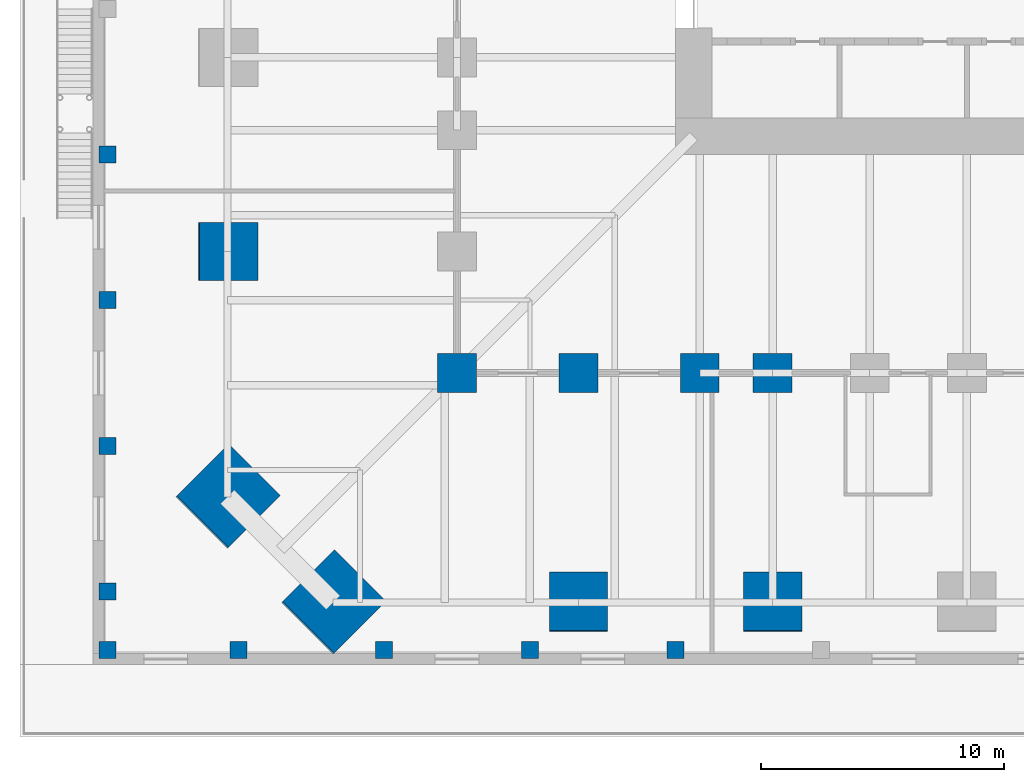
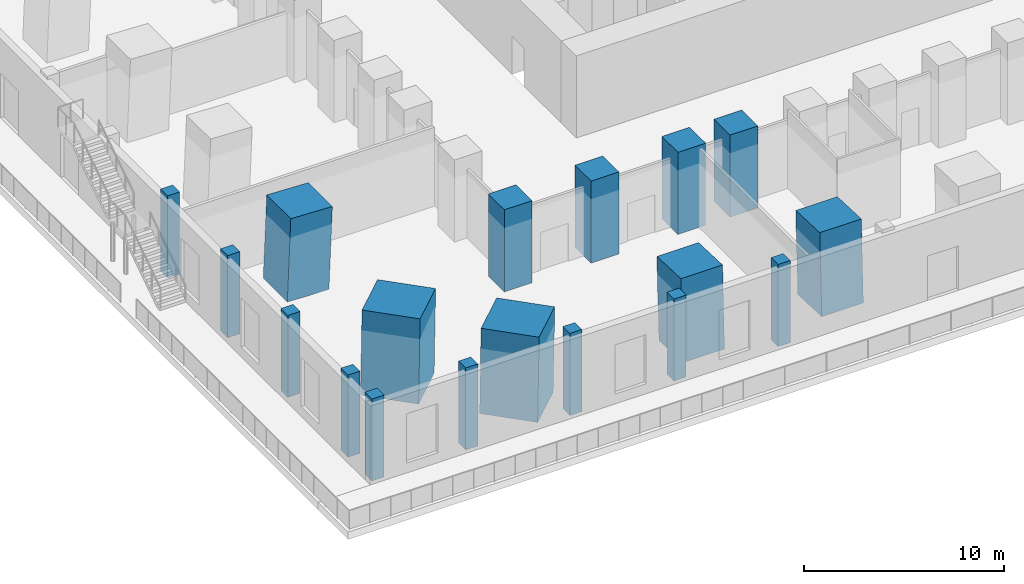
# One storey, part 1 of 20: 18 columns.
"""IFC4 building model written with IfcOpenShell, lengths in metres."""

import ifcopenshell
import ifcopenshell.guid

model = None  # the IFC model being written
_history = None  # IfcOwnerHistory: only IFC2X3 demands one
_inside = {}  # id of a spatial element -> (the spatial element, [elements in it])
_under = {}  # id of a project, library or spatial element -> (it, [spatial elements below it])
_declared = {}  # id of a project -> (the project, [libraries it declares])
_typed = {}  # id of a type object -> (the type object, [elements of that type])
_made_of = {}  # id of a material, layer set ... -> (it, [elements and type objects made of it])


def new_model(schema):
    """Start an empty IFC model of exactly this schema.

    Asked for "IFC4X3", IfcOpenShell would pick the latest addendum, in which some entities
    have other attributes; the version numbers below select the first issue.
    IFC2X3 requires an IfcOwnerHistory on every rooted entity: one is made here for all.
    """
    global model, _history
    if schema == "IFC4X3":
        model = ifcopenshell.file(schema_version=(4, 3, 0, 0))
    else:
        model = ifcopenshell.file(schema=schema)
    _inside.clear()
    _under.clear()
    _declared.clear()
    _typed.clear()
    _made_of.clear()
    _history = None
    if model.schema == "IFC2X3":
        org = make("IfcOrganization", Name="unknown")
        user = make(
            "IfcPersonAndOrganization",
            ThePerson=make("IfcPerson", FamilyName="unknown"),
            TheOrganization=org,
        )
        app = make(
            "IfcApplication",
            ApplicationDeveloper=org,
            Version="unknown",
            ApplicationFullName="unknown",
            ApplicationIdentifier="unknown",
        )
        _history = make(
            "IfcOwnerHistory",
            OwningUser=user,
            OwningApplication=app,
            ChangeAction="ADDED",
            CreationDate=0,
        )
    return model


def make(cls, **values):
    """One entity of the class cls with the attributes given. An attribute that is None is left unset."""
    return model.create_entity(
        cls, **{name: value for name, value in values.items() if value is not None}
    )


def rooted(cls, **values):
    """An entity with a GlobalId (a new one), such as an element, a storey or a relation."""
    return make(cls, GlobalId=ifcopenshell.guid.new(), OwnerHistory=_history, **values)


def si_unit(unit_type, name, prefix=None):
    """IfcSIUnit, for example si_unit("LENGTHUNIT", "METRE", prefix="MILLI")."""
    return make("IfcSIUnit", UnitType=unit_type, Prefix=prefix, Name=name)


def assignment(units):
    """IfcUnitAssignment: the units of a project."""
    return None if units is None else make("IfcUnitAssignment", Units=units)


def point(xyz):
    """IfcCartesianPoint."""
    return None if xyz is None else make("IfcCartesianPoint", Coordinates=xyz)


def direction(xyz):
    """IfcDirection."""
    return None if xyz is None else make("IfcDirection", DirectionRatios=xyz)


def frame(location, z_axis=None, x_axis=None):
    """IfcAxis2Placement3D, a coordinate frame: its origin and axes. An axis left out is left unset."""
    return make(
        "IfcAxis2Placement3D",
        Location=point(location),
        Axis=direction(z_axis),
        RefDirection=direction(x_axis),
    )


def frame_2d(location, x_axis=None):
    """IfcAxis2Placement2D, a coordinate frame in the plane: its origin and x axis."""
    return make(
        "IfcAxis2Placement2D", Location=point(location), RefDirection=direction(x_axis)
    )


def origin():
    """The frame at (0, 0, 0) with its axes left unset."""
    return frame((0.0, 0.0, 0.0))


def origin_2d():
    """The frame at (0, 0) in the plane with its x axis left unset."""
    return frame_2d((0.0, 0.0))


def place(relative_to, where):
    """IfcLocalPlacement: puts the frame where relative to a parent placement (None: the world)."""
    return make(
        "IfcLocalPlacement", PlacementRelTo=relative_to, RelativePlacement=where
    )


def context(
    kind, dimensions, precision=None, world=None, true_north=None, identifier=None
):
    """IfcGeometricRepresentationContext, for example the 3D "Model" context."""
    return make(
        "IfcGeometricRepresentationContext",
        ContextIdentifier=identifier,
        ContextType=kind,
        CoordinateSpaceDimension=dimensions,
        Precision=precision,
        WorldCoordinateSystem=world,
        TrueNorth=true_north,
    )


def subcontext(parent, identifier, kind, view, scale=None):
    """IfcGeometricRepresentationSubContext, for example "Body" below "Model"."""
    return make(
        "IfcGeometricRepresentationSubContext",
        ContextIdentifier=identifier,
        ContextType=kind,
        ParentContext=parent,
        TargetScale=scale,
        TargetView=view,
    )


def project(units=None, contexts=None):
    """IfcProject with its units and contexts."""
    return rooted(
        "IfcProject",
        Name="project",
        RepresentationContexts=contexts,
        UnitsInContext=assignment(units),
    )


def spatial(cls, under=None, at=None, **own):
    """A site, building, storey or space (cls), placed at a placement, below another one or the project."""
    s = rooted(cls, ObjectPlacement=at, **own)
    if under is not None:
        _under.setdefault(under.id(), (under, []))[1].append(s)
    return s


def profile(cls, at=None, kind="AREA", **sizes):
    """A parametric profile (cls). Its sizes go by their IFC names, for example OverallWidth=200.0."""
    return make(cls, ProfileType=kind, Position=at, **sizes)


def rectangle(**sizes):
    """IfcRectangleProfileDef."""
    return profile("IfcRectangleProfileDef", **sizes)


def extrude(swept, where, along, depth):
    """IfcExtrudedAreaSolid: the profile swept, set in the frame where, extruded along a direction by depth."""
    return make(
        "IfcExtrudedAreaSolid",
        SweptArea=swept,
        Position=where,
        ExtrudedDirection=direction(along),
        Depth=depth,
    )


def shape(context_of_items, identifier, shape_type, items):
    """IfcShapeRepresentation: the items that make up one representation, for example the "Body"."""
    return make(
        "IfcShapeRepresentation",
        ContextOfItems=context_of_items,
        RepresentationIdentifier=identifier,
        RepresentationType=shape_type,
        Items=items,
    )


def material(Name=None, Category=None):
    """IfcMaterial."""
    return make("IfcMaterial", Name=Name, Category=Category)


def material_profile(
    of_material, cross_section, Name=None, Category=None, Priority=None
):
    """IfcMaterialProfile: a cross section and its material."""
    return make(
        "IfcMaterialProfile",
        Name=Name,
        Material=of_material,
        Profile=cross_section,
        Priority=Priority,
        Category=Category,
    )


def profile_set(profiles, Name=None, composite=None):
    """IfcMaterialProfileSet."""
    return make(
        "IfcMaterialProfileSet",
        Name=Name,
        MaterialProfiles=profiles,
        CompositeProfile=composite,
    )


def made_of(thing, what):
    """Note that an element or type object is made of a material, layer set ...; save() writes the relation."""
    if what is not None:
        _made_of.setdefault(what.id(), (what, []))[1].append(thing)
    return thing


def type_object(cls, material=None, **own):
    """A type object (cls), such as IfcWallType, which elements share."""
    return made_of(rooted(cls, **own), material)


def element(
    cls,
    number,
    at=None,
    inside=None,
    cuts=None,
    type_object=None,
    material=None,
    context=None,
    identifier="Body",
    shape_type=None,
    held_by="IfcProductDefinitionShape",
    body=None,
    shapes=None,
    **own,
):
    """One element of the class cls, such as IfcWall. Its Tag is "e" and its number.

    at: its placement. inside: the storey or other place that contains it. cuts: it is an
    opening in that element (IfcRelVoidsElement). A single representation is given by context,
    identifier, shape_type and body (its items); several are given by shapes. held_by: the class
    of the entity that holds the representations. save() writes the other relations.
    """
    e = rooted(cls, Tag="e%d" % number, ObjectPlacement=at, **own)
    if body is not None:
        shapes = [shape(context, identifier, shape_type, body)]
    if shapes is not None:
        e.Representation = make(held_by, Representations=shapes)
    if inside is not None:
        _inside.setdefault(inside.id(), (inside, []))[1].append(e)
    if cuts is not None:
        rooted(
            "IfcRelVoidsElement", RelatingBuildingElement=cuts, RelatedOpeningElement=e
        )
    if type_object is not None:
        _typed.setdefault(type_object.id(), (type_object, []))[1].append(e)
    return made_of(e, material)


def aggregate(whole, parts):
    """IfcRelAggregates: a whole, such as a stair, and the parts it consists of."""
    return rooted("IfcRelAggregates", RelatingObject=whole, RelatedObjects=parts)


def save(model, path):
    """Write the relations noted so far, then the file.

    IfcRelAggregates (storeys below a building ...), IfcRelContainedInSpatialStructure (elements
    in a storey), IfcRelDefinesByType, IfcRelAssociatesMaterial and IfcRelDeclares: one each for
    every whole, place, type object, material and project.
    """
    for whole, parts in _under.values():
        aggregate(whole, parts)
    for where, things in _inside.values():
        rooted(
            "IfcRelContainedInSpatialStructure",
            RelatedElements=things,
            RelatingStructure=where,
        )
    for kind, things in _typed.values():
        rooted("IfcRelDefinesByType", RelatedObjects=things, RelatingType=kind)
    for what, things in _made_of.values():
        rooted("IfcRelAssociatesMaterial", RelatedObjects=things, RelatingMaterial=what)
    for by, libraries in _declared.values():
        rooted("IfcRelDeclares", RelatingContext=by, RelatedDefinitions=libraries)
    model.write(path)


model = new_model("IFC4")

# Units and contexts
model_context = context("Model", 3, precision=1e-05, world=origin(), true_north=direction((0.0, 1.0)))
body_context = subcontext(model_context, "Body", "Model", "MODEL_VIEW")
ifc_project = project(units=[si_unit("LENGTHUNIT", "METRE"), si_unit("AREAUNIT", "SQUARE_METRE"), si_unit("VOLUMEUNIT", "CUBIC_METRE"), si_unit("PLANEANGLEUNIT", "RADIAN"), si_unit("MASSUNIT", "GRAM", prefix="KILO")], contexts=[model_context])

# Site, building, storey
site_placement = place(None, origin())
site = spatial("IfcSite", under=ifc_project, at=site_placement, CompositionType="ELEMENT")
building_placement = place(site_placement, origin())
building = spatial("IfcBuilding", under=site, at=building_placement, Name="Peilmerk Tower", CompositionType="ELEMENT")
storey_placement = place(building_placement, frame((0.0, 0.0, 11.0)))
storey = spatial("IfcBuildingStorey", under=building, at=storey_placement, Name="L02", CompositionType="ELEMENT", Elevation=11.0)

# Columns
ifc_material_1 = material(Name="Concrete C90/105", Category="concrete")
ifc_material_profile_1 = material_profile(ifc_material_1, rectangle(XDim=3.0, YDim=3.0, at=origin_2d()), Name="RC 3000x3000")
ifc_profile_set_1 = profile_set([ifc_material_profile_1], Name="Concrete C90/105")
column_type_1 = type_object("IfcColumnType", Name="MC1 3000x3000 encased mega column", PredefinedType="COLUMN", material=ifc_profile_set_1)
for number, where, z_axis, x_axis, name in (
    (1, (-26.103271484375, -30.453125, 0.0), (0.040266662877, 0.04021791389, 0.998379244207), (-0.706678361564, 0.707534941396, 0.0), "Mega column MC1 SW_S L02"),
    (2, (-30.453125, -26.103271484375, 0.0), (0.04021791389, 0.040266662877, 0.998379244207), (-0.707534941396, 0.706678361564, 0.0), "Mega column MC1 SW_W L02"),
):
    element("IfcColumn", number, at=place(storey_placement, frame(where, z_axis=z_axis, x_axis=x_axis)), inside=storey, type_object=column_type_1, Name=name, PredefinedType="COLUMN", context=body_context, shape_type="SweptSolid", body=[
        extrude(rectangle(XDim=3.0, YDim=3.0, at=origin_2d()), origin(), (0.0, 0.0, 1.0), 5.008056640625),
    ])
ifc_material_2 = material(Name="Concrete C55/67", Category="concrete")
ifc_material_profile_2 = material_profile(ifc_material_2, rectangle(XDim=0.699951171875, YDim=0.699951171875, at=origin_2d()), Name="RC 700x700")
ifc_profile_set_2 = profile_set([ifc_material_profile_2], Name="Concrete C55/67")
column_type_2 = type_object("IfcColumnType", Name="PC1 700x700 podium column", PredefinedType="COLUMN", material=ifc_profile_set_2)
for number, where, z_axis, x_axis, name in (
    (3, (-35.39990234375, -32.39990234375, 0.0), (0.0, 0.0, 1.0), (1.0, 0.0, 0.0), "Podium column ring A L02"),
    (4, (-35.39990234375, -30.0, 0.0), (0.0, 0.0, 1.0), (1.0, 0.0, 0.0), "Podium column ring A L02"),
    (5, (-35.39990234375, -24.0, 0.0), (0.0, 0.0, 1.0), (1.0, 0.0, 0.0), "Podium column ring A L02"),
    (6, (-35.39990234375, -18.0, 0.0), (0.0, 0.0, 1.0), (1.0, 0.0, 0.0), "Podium column ring A L02"),
    (7, (-35.39990234375, -12.0, 0.0), (0.0, 0.0, 1.0), (1.0, 0.0, 0.0), "Podium column ring A L02"),
    (8, (-30.0, -32.39990234375, 0.0), (0.0, 0.0, 1.0), (1.0, 0.0, 0.0), "Podium column ring A L02"),
    (9, (-24.0, -32.39990234375, 0.0), (0.0, 0.0, 1.0), (1.0, 0.0, 0.0), "Podium column ring A L02"),
    (10, (-18.0, -32.39990234375, 0.0), (0.0, 0.0, 1.0), (1.0, 0.0, 0.0), "Podium column ring A L02"),
    (11, (-12.0, -32.39990234375, 0.0), (0.0, 0.0, 1.0), (1.0, 0.0, 0.0), "Podium column ring A L02"),
):
    element("IfcColumn", number, at=place(storey_placement, frame(where, z_axis=z_axis, x_axis=x_axis)), inside=storey, type_object=column_type_2, Name=name, PredefinedType="COLUMN", context=body_context, shape_type="SweptSolid", body=[
        extrude(rectangle(XDim=0.699951171875, YDim=0.699951171875, at=origin_2d()), origin(), (0.0, 0.0, 1.0), 5.0),
    ])
ifc_material_profile_3 = material_profile(ifc_material_1, rectangle(XDim=2.39990234375, YDim=2.39990234375, at=origin_2d()), Name="RC 2400x2400")
ifc_profile_set_3 = profile_set([ifc_material_profile_3], Name="Concrete C90/105")
column_type_3 = type_object("IfcColumnType", Name="SC1 2400x2400 encased perimeter column", PredefinedType="COLUMN", material=ifc_profile_set_3)
for number, where, z_axis, x_axis, name in (
    (12, (-8.0, -30.453125, 0.0), (0.0, 0.040250558339, 0.999189617917), (-1.0, 0.0, 0.0), "Perimeter column S-8 L02"),
    (13, (-16.0, -30.453125, 0.0), (0.0, 0.040250558339, 0.999189617917), (-1.0, 0.0, 0.0), "Perimeter column S-16 L02"),
    (14, (-30.453125, -16.0, 0.0), (0.040250558339, 0.0, 0.999189617917), (0.0, 1.0, 0.0), "Perimeter column W+16 L02"),
):
    element("IfcColumn", number, at=place(storey_placement, frame(where, z_axis=z_axis, x_axis=x_axis)), inside=storey, type_object=column_type_3, Name=name, PredefinedType="COLUMN", context=body_context, shape_type="SweptSolid", body=[
        extrude(rectangle(XDim=2.39990234375, YDim=2.39990234375, at=origin_2d()), origin(), (0.0, 0.0, 1.0), 5.004150390625),
    ])
ifc_material_profile_4 = material_profile(ifc_material_1, rectangle(XDim=1.60009765625, YDim=1.60009765625, at=origin_2d()), Name="RC 1600x1600")
ifc_profile_set_4 = profile_set([ifc_material_profile_4], Name="Concrete C90/105")
column_type_4 = type_object("IfcColumnType", Name="SC2 1600x1600 encased interior column", PredefinedType="COLUMN", material=ifc_profile_set_4)
for number, where, z_axis, x_axis, name in (
    (15, (-8.0, -21.0, 0.0), (0.0, 0.0, 1.0), (1.0, 0.0, 0.0), "Interior column S-8 L02"),
    (16, (-11.0, -21.0, 0.0), (0.0, 0.0, 1.0), (1.0, 0.0, 0.0), "Interior column S-11 L02"),
    (17, (-16.0, -21.0, 0.0), (0.0, 0.0, 1.0), (1.0, 0.0, 0.0), "Interior column S-16 L02"),
    (18, (-21.0, -21.0, 0.0), (0.0, 0.0, 1.0), (1.0, 0.0, 0.0), "Interior column SW L02"),
):
    element("IfcColumn", number, at=place(storey_placement, frame(where, z_axis=z_axis, x_axis=x_axis)), inside=storey, type_object=column_type_4, Name=name, PredefinedType="COLUMN", context=body_context, shape_type="SweptSolid", body=[
        extrude(rectangle(XDim=1.60009765625, YDim=1.60009765625, at=origin_2d()), origin(), (0.0, 0.0, 1.0), 5.0),
    ])

save(model, "model.ifc")
